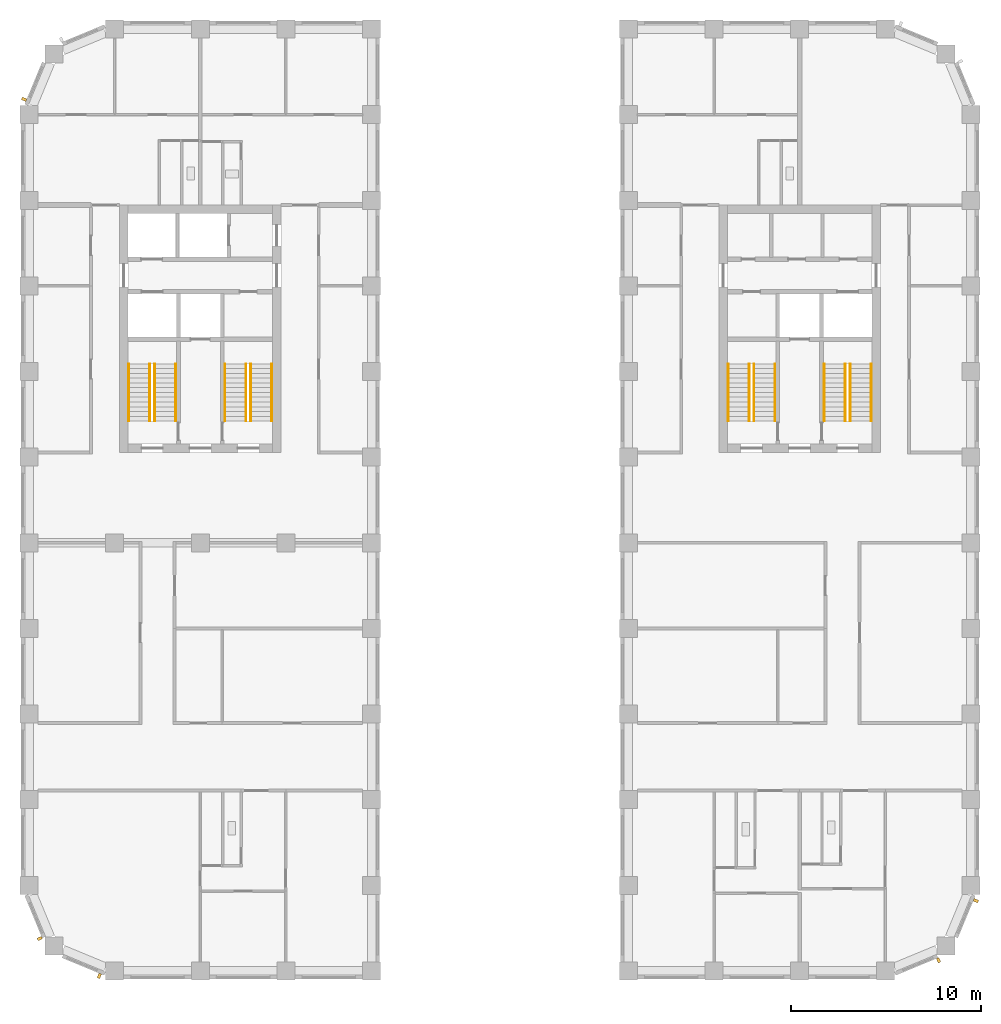
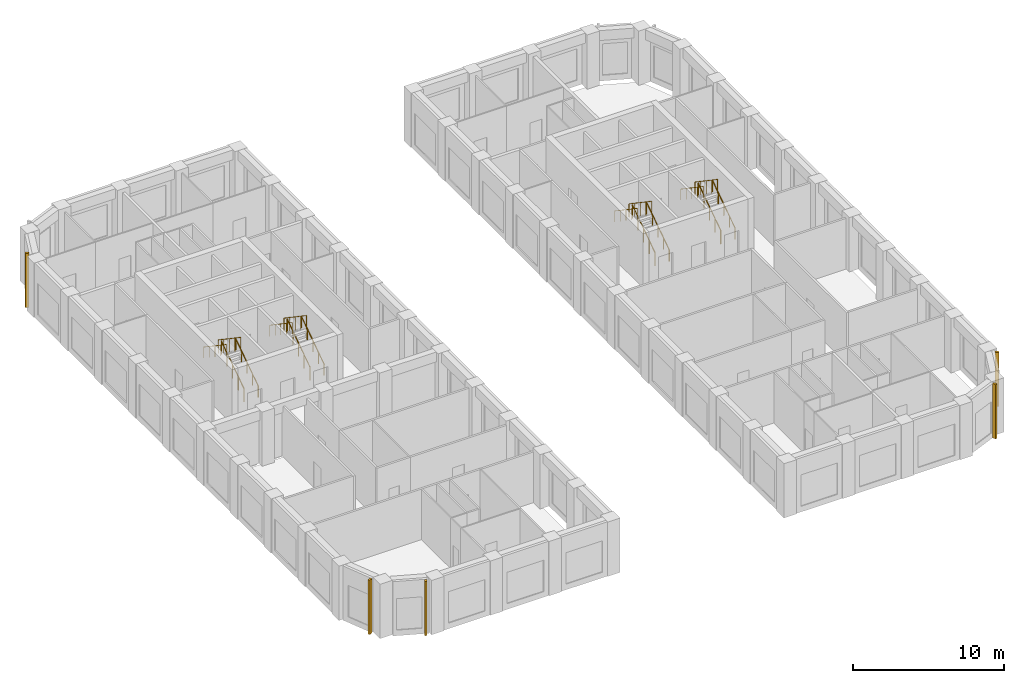
# One storey, part 11 of 13: 16 railings, 5 shading devices.
"""IFC4 building model written with IfcOpenShell, lengths in metres."""

from ifc_helpers import new_model, si_unit, direction, frame, origin, origin_2d, place, context, subcontext, project, spatial, rectangle, circle, extrude, material, type_object, element, save


model = new_model("IFC4")

# Units and contexts
model_context = context("Model", 3, precision=1e-05, world=origin(), true_north=direction((0.0, 1.0)))
body_context = subcontext(model_context, "Body", "Model", "MODEL_VIEW")
ifc_project = project(units=[si_unit("LENGTHUNIT", "METRE"), si_unit("AREAUNIT", "SQUARE_METRE"), si_unit("VOLUMEUNIT", "CUBIC_METRE"), si_unit("PLANEANGLEUNIT", "RADIAN"), si_unit("MASSUNIT", "GRAM", prefix="KILO")], contexts=[model_context])

# Site, building, storey
site_placement = place(None, origin())
site = spatial("IfcSite", under=ifc_project, at=site_placement, CompositionType="ELEMENT")
building_placement = place(site_placement, origin())
building = spatial("IfcBuilding", under=site, at=building_placement, Name="Girih Gate Residences", CompositionType="ELEMENT")
storey_placement = place(building_placement, frame((0.0, 0.0, 159.39990234375)))
storey = spatial("IfcBuildingStorey", under=building, at=storey_placement, Name="L44", CompositionType="ELEMENT", Elevation=159.39990234375)

# Shading devices
ifc_material_1 = material(Name="Precast concrete C50/60", Category="concrete")
shading_device_type = type_object("IfcShadingDeviceType", Name="Corner rib 150x250", PredefinedType="USERDEFINED", material=ifc_material_1)
for number, where, z_axis, x_axis, name in (
    (1, (-0.260498046875, 45.808349609375, 0.000244140625), (0.0, 0.0, 1.0), (-0.382683432365, -0.923879532511, 0.0), "Corner rib NW0013_0482.0"),
    (2, (0.562255859375, 1.705322265625, 0.000244140625), (0.0, 0.0, 1.0), (0.382683432365, -0.923879532511, 0.0), "Corner rib SW0000_0045.0"),
    (3, (3.691650390625, -0.260498046875, 0.000244140625), (0.0, 0.0, 1.0), (0.923879532511, -0.382683432365, 0.0), "Corner rib SW0013_0013.0"),
    (4, (47.794677734375, 0.562255859375, 0.000244140625), (0.0, 0.0, 1.0), (0.923879532511, 0.382683432365, 0.0), "Corner rib SE0450_0000.0"),
    (5, (49.760498046875, 3.691650390625, 0.000244140625), (0.0, 0.0, 1.0), (0.382683432365, 0.923879532511, 0.0), "Corner rib SE0482_0013.0"),
):
    element("IfcShadingDevice", number, at=place(storey_placement, frame(where, z_axis=z_axis, x_axis=x_axis)), inside=storey, type_object=shading_device_type, Name=name, ObjectType="FIN", PredefinedType="USERDEFINED", context=body_context, shape_type="SweptSolid", body=[
        extrude(rectangle(XDim=0.14990234375, YDim=0.25, at=origin_2d()), origin(), (0.0, 0.0, 1.0), 4.39990234375),
    ])

# Railings
ifc_material_2 = material(Name="Stainless steel", Category="steel")
railing_type_1 = type_object("IfcRailingType", Name="Stair guard 1100", PredefinedType="GUARDRAIL", material=ifc_material_2)
railing_1_placement = place(storey_placement, frame((6.60009765625, 28.89990234375, 0.16943359375)))
element("IfcRailing", 6, at=railing_1_placement, inside=storey, type_object=railing_type_1, Name="L44 ST-W1 stair guard 1", PredefinedType="GUARDRAIL", context=body_context, shape_type="SweptSolid", body=[
    extrude(circle(Radius=0.02392578125, at=origin_2d()), frame((0.0, 0.0, 1.076171875), z_axis=(0.0, 0.828110434718, 0.560564989908), x_axis=(-1.0, 0.0, 0.0)), (0.0, 0.0, 1.0), 3.622802734375),
    extrude(circle(Radius=0.02099609375, at=origin_2d()), origin(), (0.0, 0.0, 1.0), 1.052001953125),
    extrude(circle(Radius=0.02099609375, at=origin_2d()), frame((0.0, 0.75, 0.5078125)), (0.0, 0.0, 1.0), 1.052001953125),
    extrude(circle(Radius=0.02099609375, at=origin_2d()), frame((0.0, 1.5, 1.015380859375)), (0.0, 0.0, 1.0), 1.052001953125),
    extrude(circle(Radius=0.02099609375, at=origin_2d()), frame((0.0, 2.25, 1.52294921875)), (0.0, 0.0, 1.0), 1.052001953125),
    extrude(circle(Radius=0.02099609375, at=origin_2d()), frame((0.0, 3.0, 2.03076171875)), (0.0, 0.0, 1.0), 1.052001953125),
])
railing_2_placement = place(storey_placement, frame((6.35009765625, 31.89990234375, 2.369384765625)))
element("IfcRailing", 7, at=railing_2_placement, inside=storey, type_object=railing_type_1, Name="L44 ST-W1 stair guard 2", PredefinedType="GUARDRAIL", context=body_context, shape_type="SweptSolid", body=[
    extrude(circle(Radius=0.02392578125, at=origin_2d()), frame((0.0, 0.0, 1.076171875), z_axis=(0.0, -0.828110434718, 0.560564989908), x_axis=(1.0, 0.0, 0.0)), (0.0, 0.0, 1.0), 3.622802734375),
    extrude(circle(Radius=0.02099609375, at=origin_2d()), origin(), (0.0, 0.0, 1.0), 1.052001953125),
    extrude(circle(Radius=0.02099609375, at=origin_2d()), frame((0.0, -0.75, 0.5078125)), (0.0, 0.0, 1.0), 1.052001953125),
    extrude(circle(Radius=0.02099609375, at=origin_2d()), frame((0.0, -1.5, 1.015380859375)), (0.0, 0.0, 1.0), 1.052001953125),
    extrude(circle(Radius=0.02099609375, at=origin_2d()), frame((0.0, -2.25, 1.52294921875)), (0.0, 0.0, 1.0), 1.052001953125),
    extrude(circle(Radius=0.02099609375, at=origin_2d()), frame((0.0, -3.0, 2.03076171875)), (0.0, 0.0, 1.0), 1.052001953125),
])
railing_3_placement = place(storey_placement, frame((11.64990234375, 28.89990234375, 0.16943359375)))
element("IfcRailing", 8, at=railing_3_placement, inside=storey, type_object=railing_type_1, Name="L44 ST-W2 stair guard 1", PredefinedType="GUARDRAIL", context=body_context, shape_type="SweptSolid", body=[
    extrude(circle(Radius=0.02392578125, at=origin_2d()), frame((0.0, 0.0, 1.076171875), z_axis=(0.0, 0.828110434718, 0.560564989908), x_axis=(-1.0, 0.0, 0.0)), (0.0, 0.0, 1.0), 3.622802734375),
    extrude(circle(Radius=0.02099609375, at=origin_2d()), origin(), (0.0, 0.0, 1.0), 1.052001953125),
    extrude(circle(Radius=0.02099609375, at=origin_2d()), frame((0.0, 0.75, 0.5078125)), (0.0, 0.0, 1.0), 1.052001953125),
    extrude(circle(Radius=0.02099609375, at=origin_2d()), frame((0.0, 1.5, 1.015380859375)), (0.0, 0.0, 1.0), 1.052001953125),
    extrude(circle(Radius=0.02099609375, at=origin_2d()), frame((0.0, 2.25, 1.52294921875)), (0.0, 0.0, 1.0), 1.052001953125),
    extrude(circle(Radius=0.02099609375, at=origin_2d()), frame((0.0, 3.0, 2.03076171875)), (0.0, 0.0, 1.0), 1.052001953125),
])
railing_4_placement = place(storey_placement, frame((11.39990234375, 31.89990234375, 2.369384765625)))
element("IfcRailing", 9, at=railing_4_placement, inside=storey, type_object=railing_type_1, Name="L44 ST-W2 stair guard 2", PredefinedType="GUARDRAIL", context=body_context, shape_type="SweptSolid", body=[
    extrude(circle(Radius=0.02392578125, at=origin_2d()), frame((0.0, 0.0, 1.076171875), z_axis=(0.0, -0.828110434718, 0.560564989908), x_axis=(1.0, 0.0, 0.0)), (0.0, 0.0, 1.0), 3.622802734375),
    extrude(circle(Radius=0.02099609375, at=origin_2d()), origin(), (0.0, 0.0, 1.0), 1.052001953125),
    extrude(circle(Radius=0.02099609375, at=origin_2d()), frame((0.0, -0.75, 0.5078125)), (0.0, 0.0, 1.0), 1.052001953125),
    extrude(circle(Radius=0.02099609375, at=origin_2d()), frame((0.0, -1.5, 1.015380859375)), (0.0, 0.0, 1.0), 1.052001953125),
    extrude(circle(Radius=0.02099609375, at=origin_2d()), frame((0.0, -2.25, 1.52294921875)), (0.0, 0.0, 1.0), 1.052001953125),
    extrude(circle(Radius=0.02099609375, at=origin_2d()), frame((0.0, -3.0, 2.03076171875)), (0.0, 0.0, 1.0), 1.052001953125),
])
railing_5_placement = place(storey_placement, frame((43.14990234375, 28.89990234375, 0.16943359375)))
element("IfcRailing", 10, at=railing_5_placement, inside=storey, type_object=railing_type_1, Name="L44 ST-E1 stair guard 1", PredefinedType="GUARDRAIL", context=body_context, shape_type="SweptSolid", body=[
    extrude(circle(Radius=0.02392578125, at=origin_2d()), frame((0.0, 0.0, 1.076171875), z_axis=(0.0, 0.828110434718, 0.560564989908), x_axis=(-1.0, 0.0, 0.0)), (0.0, 0.0, 1.0), 3.622802734375),
    extrude(circle(Radius=0.02099609375, at=origin_2d()), origin(), (0.0, 0.0, 1.0), 1.052001953125),
    extrude(circle(Radius=0.02099609375, at=origin_2d()), frame((0.0, 0.75, 0.5078125)), (0.0, 0.0, 1.0), 1.052001953125),
    extrude(circle(Radius=0.02099609375, at=origin_2d()), frame((0.0, 1.5, 1.015380859375)), (0.0, 0.0, 1.0), 1.052001953125),
    extrude(circle(Radius=0.02099609375, at=origin_2d()), frame((0.0, 2.25, 1.52294921875)), (0.0, 0.0, 1.0), 1.052001953125),
    extrude(circle(Radius=0.02099609375, at=origin_2d()), frame((0.0, 3.0, 2.03076171875)), (0.0, 0.0, 1.0), 1.052001953125),
])
railing_6_placement = place(storey_placement, frame((42.89990234375, 31.89990234375, 2.369384765625)))
element("IfcRailing", 11, at=railing_6_placement, inside=storey, type_object=railing_type_1, Name="L44 ST-E1 stair guard 2", PredefinedType="GUARDRAIL", context=body_context, shape_type="SweptSolid", body=[
    extrude(circle(Radius=0.02392578125, at=origin_2d()), frame((0.0, 0.0, 1.076171875), z_axis=(0.0, -0.828110434718, 0.560564989908), x_axis=(1.0, 0.0, 0.0)), (0.0, 0.0, 1.0), 3.622802734375),
    extrude(circle(Radius=0.02099609375, at=origin_2d()), origin(), (0.0, 0.0, 1.0), 1.052001953125),
    extrude(circle(Radius=0.02099609375, at=origin_2d()), frame((0.0, -0.75, 0.5078125)), (0.0, 0.0, 1.0), 1.052001953125),
    extrude(circle(Radius=0.02099609375, at=origin_2d()), frame((0.0, -1.5, 1.015380859375)), (0.0, 0.0, 1.0), 1.052001953125),
    extrude(circle(Radius=0.02099609375, at=origin_2d()), frame((0.0, -2.25, 1.52294921875)), (0.0, 0.0, 1.0), 1.052001953125),
    extrude(circle(Radius=0.02099609375, at=origin_2d()), frame((0.0, -3.0, 2.03076171875)), (0.0, 0.0, 1.0), 1.052001953125),
])
railing_7_placement = place(storey_placement, frame((38.10009765625, 28.89990234375, 0.16943359375)))
element("IfcRailing", 12, at=railing_7_placement, inside=storey, type_object=railing_type_1, Name="L44 ST-E2 stair guard 1", PredefinedType="GUARDRAIL", context=body_context, shape_type="SweptSolid", body=[
    extrude(circle(Radius=0.02392578125, at=origin_2d()), frame((0.0, 0.0, 1.076171875), z_axis=(0.0, 0.828110434718, 0.560564989908), x_axis=(-1.0, 0.0, 0.0)), (0.0, 0.0, 1.0), 3.622802734375),
    extrude(circle(Radius=0.02099609375, at=origin_2d()), origin(), (0.0, 0.0, 1.0), 1.052001953125),
    extrude(circle(Radius=0.02099609375, at=origin_2d()), frame((0.0, 0.75, 0.5078125)), (0.0, 0.0, 1.0), 1.052001953125),
    extrude(circle(Radius=0.02099609375, at=origin_2d()), frame((0.0, 1.5, 1.015380859375)), (0.0, 0.0, 1.0), 1.052001953125),
    extrude(circle(Radius=0.02099609375, at=origin_2d()), frame((0.0, 2.25, 1.52294921875)), (0.0, 0.0, 1.0), 1.052001953125),
    extrude(circle(Radius=0.02099609375, at=origin_2d()), frame((0.0, 3.0, 2.03076171875)), (0.0, 0.0, 1.0), 1.052001953125),
])
railing_8_placement = place(storey_placement, frame((37.85009765625, 31.89990234375, 2.369384765625)))
element("IfcRailing", 13, at=railing_8_placement, inside=storey, type_object=railing_type_1, Name="L44 ST-E2 stair guard 2", PredefinedType="GUARDRAIL", context=body_context, shape_type="SweptSolid", body=[
    extrude(circle(Radius=0.02392578125, at=origin_2d()), frame((0.0, 0.0, 1.076171875), z_axis=(0.0, -0.828110434718, 0.560564989908), x_axis=(1.0, 0.0, 0.0)), (0.0, 0.0, 1.0), 3.622802734375),
    extrude(circle(Radius=0.02099609375, at=origin_2d()), origin(), (0.0, 0.0, 1.0), 1.052001953125),
    extrude(circle(Radius=0.02099609375, at=origin_2d()), frame((0.0, -0.75, 0.5078125)), (0.0, 0.0, 1.0), 1.052001953125),
    extrude(circle(Radius=0.02099609375, at=origin_2d()), frame((0.0, -1.5, 1.015380859375)), (0.0, 0.0, 1.0), 1.052001953125),
    extrude(circle(Radius=0.02099609375, at=origin_2d()), frame((0.0, -2.25, 1.52294921875)), (0.0, 0.0, 1.0), 1.052001953125),
    extrude(circle(Radius=0.02099609375, at=origin_2d()), frame((0.0, -3.0, 2.03076171875)), (0.0, 0.0, 1.0), 1.052001953125),
])
railing_type_2 = type_object("IfcRailingType", Name="Stair handrail 900", PredefinedType="HANDRAIL", material=ifc_material_2)
railing_9_placement = place(storey_placement, frame((7.699951171875, 28.89990234375, 0.16943359375)))
element("IfcRailing", 14, at=railing_9_placement, inside=storey, type_object=railing_type_2, Name="L44 ST-W1 stair handrail 1", PredefinedType="HANDRAIL", context=body_context, shape_type="SweptSolid", body=[
    extrude(circle(Radius=0.02392578125, at=origin_2d()), frame((0.0, 0.0, 0.8857421875), z_axis=(0.0, 0.828110434718, 0.560564989908), x_axis=(-1.0, 0.0, 0.0)), (0.0, 0.0, 1.0), 3.622802734375),
    extrude(circle(Radius=0.02099609375, at=origin_2d()), origin(), (0.0, 0.0, 1.0), 0.86181640625),
    extrude(circle(Radius=0.02099609375, at=origin_2d()), frame((0.0, 0.75, 0.5078125)), (0.0, 0.0, 1.0), 0.86181640625),
    extrude(circle(Radius=0.02099609375, at=origin_2d()), frame((0.0, 1.5, 1.015380859375)), (0.0, 0.0, 1.0), 0.86181640625),
    extrude(circle(Radius=0.02099609375, at=origin_2d()), frame((0.0, 2.25, 1.52294921875)), (0.0, 0.0, 1.0), 0.86181640625),
    extrude(circle(Radius=0.02099609375, at=origin_2d()), frame((0.0, 3.0, 2.03076171875)), (0.0, 0.0, 1.0), 0.86181640625),
])
railing_10_placement = place(storey_placement, frame((5.25, 31.89990234375, 2.369384765625)))
element("IfcRailing", 15, at=railing_10_placement, inside=storey, type_object=railing_type_2, Name="L44 ST-W1 stair handrail 2", PredefinedType="HANDRAIL", context=body_context, shape_type="SweptSolid", body=[
    extrude(circle(Radius=0.02392578125, at=origin_2d()), frame((0.0, 0.0, 0.8857421875), z_axis=(0.0, -0.828110434718, 0.560564989908), x_axis=(1.0, 0.0, 0.0)), (0.0, 0.0, 1.0), 3.622802734375),
    extrude(circle(Radius=0.02099609375, at=origin_2d()), origin(), (0.0, 0.0, 1.0), 0.86181640625),
    extrude(circle(Radius=0.02099609375, at=origin_2d()), frame((0.0, -0.75, 0.5078125)), (0.0, 0.0, 1.0), 0.86181640625),
    extrude(circle(Radius=0.02099609375, at=origin_2d()), frame((0.0, -1.5, 1.015380859375)), (0.0, 0.0, 1.0), 0.86181640625),
    extrude(circle(Radius=0.02099609375, at=origin_2d()), frame((0.0, -2.25, 1.52294921875)), (0.0, 0.0, 1.0), 0.86181640625),
    extrude(circle(Radius=0.02099609375, at=origin_2d()), frame((0.0, -3.0, 2.03076171875)), (0.0, 0.0, 1.0), 0.86181640625),
])
railing_11_placement = place(storey_placement, frame((12.75, 28.89990234375, 0.16943359375)))
element("IfcRailing", 16, at=railing_11_placement, inside=storey, type_object=railing_type_2, Name="L44 ST-W2 stair handrail 1", PredefinedType="HANDRAIL", context=body_context, shape_type="SweptSolid", body=[
    extrude(circle(Radius=0.02392578125, at=origin_2d()), frame((0.0, 0.0, 0.8857421875), z_axis=(0.0, 0.828110434718, 0.560564989908), x_axis=(-1.0, 0.0, 0.0)), (0.0, 0.0, 1.0), 3.622802734375),
    extrude(circle(Radius=0.02099609375, at=origin_2d()), origin(), (0.0, 0.0, 1.0), 0.86181640625),
    extrude(circle(Radius=0.02099609375, at=origin_2d()), frame((0.0, 0.75, 0.5078125)), (0.0, 0.0, 1.0), 0.86181640625),
    extrude(circle(Radius=0.02099609375, at=origin_2d()), frame((0.0, 1.5, 1.015380859375)), (0.0, 0.0, 1.0), 0.86181640625),
    extrude(circle(Radius=0.02099609375, at=origin_2d()), frame((0.0, 2.25, 1.52294921875)), (0.0, 0.0, 1.0), 0.86181640625),
    extrude(circle(Radius=0.02099609375, at=origin_2d()), frame((0.0, 3.0, 2.03076171875)), (0.0, 0.0, 1.0), 0.86181640625),
])
railing_12_placement = place(storey_placement, frame((10.300048828125, 31.89990234375, 2.369384765625)))
element("IfcRailing", 17, at=railing_12_placement, inside=storey, type_object=railing_type_2, Name="L44 ST-W2 stair handrail 2", PredefinedType="HANDRAIL", context=body_context, shape_type="SweptSolid", body=[
    extrude(circle(Radius=0.02392578125, at=origin_2d()), frame((0.0, 0.0, 0.8857421875), z_axis=(0.0, -0.828110434718, 0.560564989908), x_axis=(1.0, 0.0, 0.0)), (0.0, 0.0, 1.0), 3.622802734375),
    extrude(circle(Radius=0.02099609375, at=origin_2d()), origin(), (0.0, 0.0, 1.0), 0.86181640625),
    extrude(circle(Radius=0.02099609375, at=origin_2d()), frame((0.0, -0.75, 0.5078125)), (0.0, 0.0, 1.0), 0.86181640625),
    extrude(circle(Radius=0.02099609375, at=origin_2d()), frame((0.0, -1.5, 1.015380859375)), (0.0, 0.0, 1.0), 0.86181640625),
    extrude(circle(Radius=0.02099609375, at=origin_2d()), frame((0.0, -2.25, 1.52294921875)), (0.0, 0.0, 1.0), 0.86181640625),
    extrude(circle(Radius=0.02099609375, at=origin_2d()), frame((0.0, -3.0, 2.03076171875)), (0.0, 0.0, 1.0), 0.86181640625),
])
railing_13_placement = place(storey_placement, frame((44.25, 28.89990234375, 0.16943359375)))
element("IfcRailing", 18, at=railing_13_placement, inside=storey, type_object=railing_type_2, Name="L44 ST-E1 stair handrail 1", PredefinedType="HANDRAIL", context=body_context, shape_type="SweptSolid", body=[
    extrude(circle(Radius=0.02392578125, at=origin_2d()), frame((0.0, 0.0, 0.8857421875), z_axis=(0.0, 0.828110434718, 0.560564989908), x_axis=(-1.0, 0.0, 0.0)), (0.0, 0.0, 1.0), 3.622802734375),
    extrude(circle(Radius=0.02099609375, at=origin_2d()), origin(), (0.0, 0.0, 1.0), 0.86181640625),
    extrude(circle(Radius=0.02099609375, at=origin_2d()), frame((0.0, 0.75, 0.5078125)), (0.0, 0.0, 1.0), 0.86181640625),
    extrude(circle(Radius=0.02099609375, at=origin_2d()), frame((0.0, 1.5, 1.015380859375)), (0.0, 0.0, 1.0), 0.86181640625),
    extrude(circle(Radius=0.02099609375, at=origin_2d()), frame((0.0, 2.25, 1.52294921875)), (0.0, 0.0, 1.0), 0.86181640625),
    extrude(circle(Radius=0.02099609375, at=origin_2d()), frame((0.0, 3.0, 2.03076171875)), (0.0, 0.0, 1.0), 0.86181640625),
])
railing_14_placement = place(storey_placement, frame((41.800048828125, 31.89990234375, 2.369384765625)))
element("IfcRailing", 19, at=railing_14_placement, inside=storey, type_object=railing_type_2, Name="L44 ST-E1 stair handrail 2", PredefinedType="HANDRAIL", context=body_context, shape_type="SweptSolid", body=[
    extrude(circle(Radius=0.02392578125, at=origin_2d()), frame((0.0, 0.0, 0.8857421875), z_axis=(0.0, -0.828110434718, 0.560564989908), x_axis=(1.0, 0.0, 0.0)), (0.0, 0.0, 1.0), 3.622802734375),
    extrude(circle(Radius=0.02099609375, at=origin_2d()), origin(), (0.0, 0.0, 1.0), 0.86181640625),
    extrude(circle(Radius=0.02099609375, at=origin_2d()), frame((0.0, -0.75, 0.5078125)), (0.0, 0.0, 1.0), 0.86181640625),
    extrude(circle(Radius=0.02099609375, at=origin_2d()), frame((0.0, -1.5, 1.015380859375)), (0.0, 0.0, 1.0), 0.86181640625),
    extrude(circle(Radius=0.02099609375, at=origin_2d()), frame((0.0, -2.25, 1.52294921875)), (0.0, 0.0, 1.0), 0.86181640625),
    extrude(circle(Radius=0.02099609375, at=origin_2d()), frame((0.0, -3.0, 2.03076171875)), (0.0, 0.0, 1.0), 0.86181640625),
])
railing_15_placement = place(storey_placement, frame((39.199951171875, 28.89990234375, 0.16943359375)))
element("IfcRailing", 20, at=railing_15_placement, inside=storey, type_object=railing_type_2, Name="L44 ST-E2 stair handrail 1", PredefinedType="HANDRAIL", context=body_context, shape_type="SweptSolid", body=[
    extrude(circle(Radius=0.02392578125, at=origin_2d()), frame((0.0, 0.0, 0.8857421875), z_axis=(0.0, 0.828110434718, 0.560564989908), x_axis=(-1.0, 0.0, 0.0)), (0.0, 0.0, 1.0), 3.622802734375),
    extrude(circle(Radius=0.02099609375, at=origin_2d()), origin(), (0.0, 0.0, 1.0), 0.86181640625),
    extrude(circle(Radius=0.02099609375, at=origin_2d()), frame((0.0, 0.75, 0.5078125)), (0.0, 0.0, 1.0), 0.86181640625),
    extrude(circle(Radius=0.02099609375, at=origin_2d()), frame((0.0, 1.5, 1.015380859375)), (0.0, 0.0, 1.0), 0.86181640625),
    extrude(circle(Radius=0.02099609375, at=origin_2d()), frame((0.0, 2.25, 1.52294921875)), (0.0, 0.0, 1.0), 0.86181640625),
    extrude(circle(Radius=0.02099609375, at=origin_2d()), frame((0.0, 3.0, 2.03076171875)), (0.0, 0.0, 1.0), 0.86181640625),
])
railing_16_placement = place(storey_placement, frame((36.75, 31.89990234375, 2.369384765625)))
element("IfcRailing", 21, at=railing_16_placement, inside=storey, type_object=railing_type_2, Name="L44 ST-E2 stair handrail 2", PredefinedType="HANDRAIL", context=body_context, shape_type="SweptSolid", body=[
    extrude(circle(Radius=0.02392578125, at=origin_2d()), frame((0.0, 0.0, 0.8857421875), z_axis=(0.0, -0.828110434718, 0.560564989908), x_axis=(1.0, 0.0, 0.0)), (0.0, 0.0, 1.0), 3.622802734375),
    extrude(circle(Radius=0.02099609375, at=origin_2d()), origin(), (0.0, 0.0, 1.0), 0.86181640625),
    extrude(circle(Radius=0.02099609375, at=origin_2d()), frame((0.0, -0.75, 0.5078125)), (0.0, 0.0, 1.0), 0.86181640625),
    extrude(circle(Radius=0.02099609375, at=origin_2d()), frame((0.0, -1.5, 1.015380859375)), (0.0, 0.0, 1.0), 0.86181640625),
    extrude(circle(Radius=0.02099609375, at=origin_2d()), frame((0.0, -2.25, 1.52294921875)), (0.0, 0.0, 1.0), 0.86181640625),
    extrude(circle(Radius=0.02099609375, at=origin_2d()), frame((0.0, -3.0, 2.03076171875)), (0.0, 0.0, 1.0), 0.86181640625),
])

save(model, "model.ifc")
